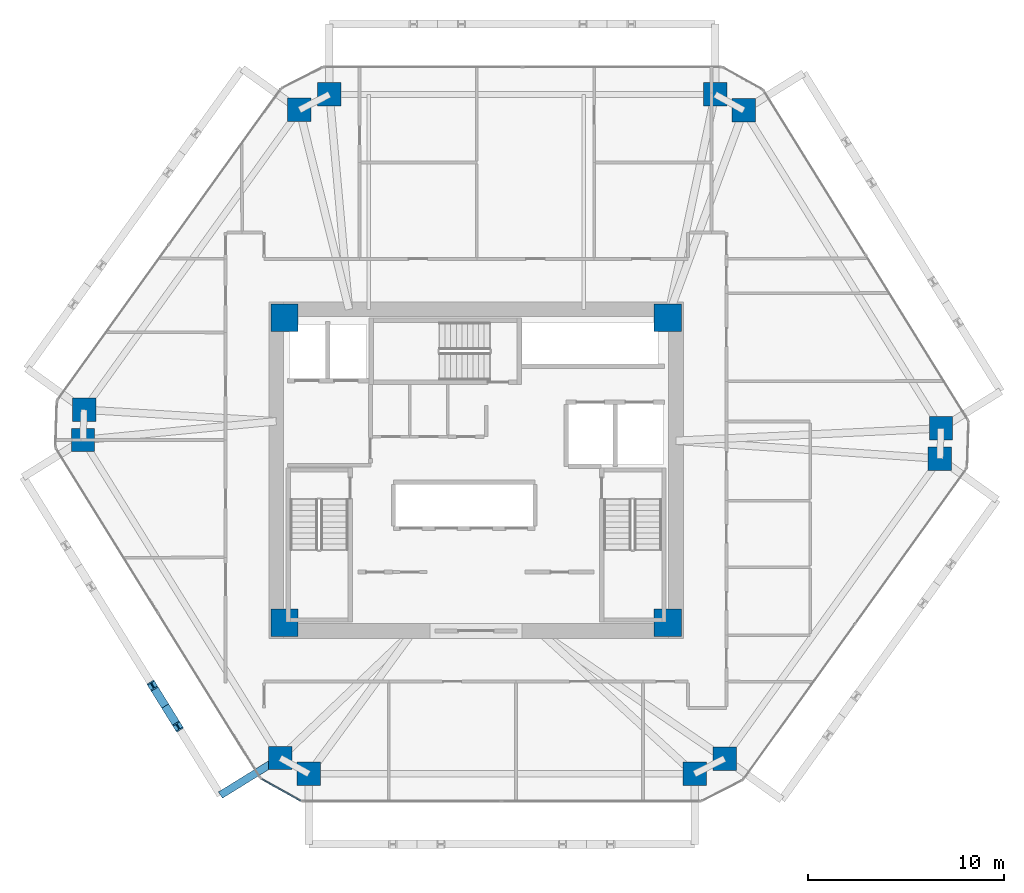
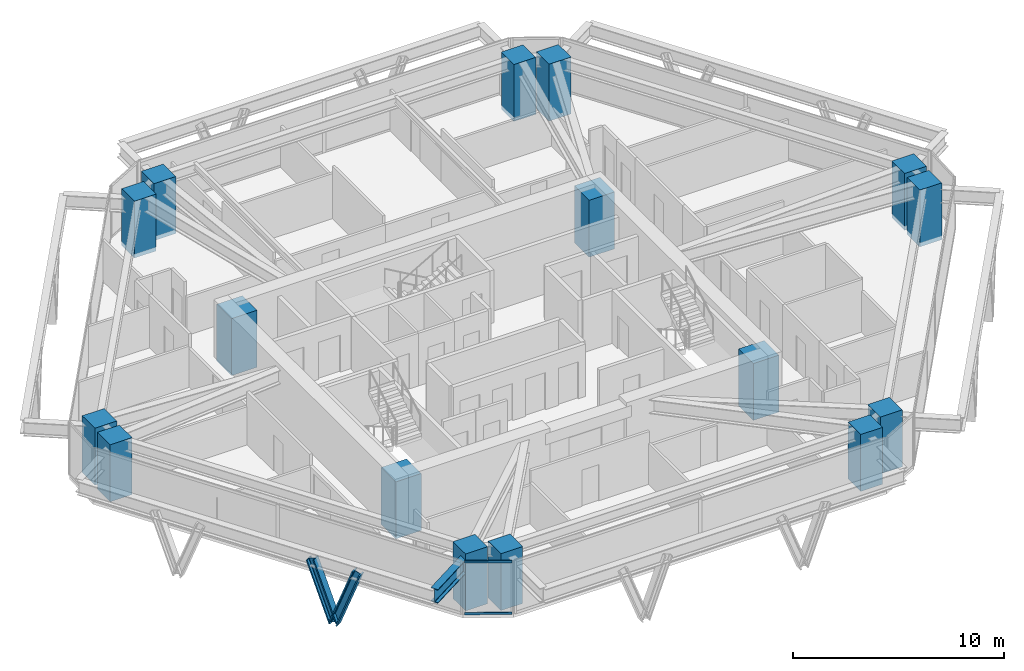
# One storey, part 1 of 14: 16 columns, 4 members, 1 beam, 1 element without a shape of its own.
"""IFC4 building model written with IfcOpenShell, lengths in metres."""

from ifc_helpers import new_model, si_unit, direction, frame, origin, origin_2d, place, context, subcontext, project, spatial, rectangle, i_section, extrude, source, transform, mapped, material, layer, layer_set, material_profile, profile_set, type_object, type_shapes, element, aggregate, save


model = new_model("IFC4")

# Units and contexts
model_context = context("Model", 3, precision=1e-05, world=origin(), true_north=direction((0.0, 1.0)))
body_context = subcontext(model_context, "Body", "Model", "MODEL_VIEW")
ifc_project = project(units=[si_unit("LENGTHUNIT", "METRE"), si_unit("AREAUNIT", "SQUARE_METRE"), si_unit("VOLUMEUNIT", "CUBIC_METRE"), si_unit("PLANEANGLEUNIT", "RADIAN"), si_unit("MASSUNIT", "GRAM", prefix="KILO")], contexts=[model_context])

# Site, building, storey
site_placement = place(None, origin())
site = spatial("IfcSite", under=ifc_project, at=site_placement, CompositionType="ELEMENT")
building_placement = place(site_placement, origin())
building = spatial("IfcBuilding", under=site, at=building_placement, Name="Durnholm Broadcast Tower", CompositionType="ELEMENT")
storey_placement = place(building_placement, frame((0.0, 0.0, 120.60009765625)))
storey = spatial("IfcBuildingStorey", under=building, at=storey_placement, Name="L32", CompositionType="ELEMENT", Elevation=120.60009765625)

# Columns
ifc_material_1 = material(Name="Concrete C70/85", Category="concrete")
ifc_material_profile_1 = material_profile(ifc_material_1, rectangle(XDim=1.39990234375, YDim=1.39990234375, at=origin_2d()), Name="RC1400X1400")
ifc_profile_set_1 = profile_set([ifc_material_profile_1], Name="Concrete C70/85")
column_type_1 = type_object("IfcColumnType", Name="COL-CC-1400", PredefinedType="COLUMN", material=ifc_profile_set_1)
shared_shape_1 = source(origin(), body_context, "Body", "SweptSolid", [
    extrude(rectangle(XDim=1.39990234375, YDim=1.39990234375, at=origin_2d()), origin(), (0.0, 0.0, 1.0), 3.2998046875),
])
type_shapes(column_type_1, [shared_shape_1])
for number, where, z_axis, x_axis, name in (
    (1, (-9.800048828125, -7.800048828125, -0.239990234375), (0.0, 0.0, 1.0), (1.0, 0.0, 0.0), "L32 core corner column 1"),
    (2, (9.800048828125, -7.800048828125, -0.239990234375), (0.0, 0.0, 1.0), (1.0, 0.0, 0.0), "L32 core corner column 2"),
    (3, (9.800048828125, 7.800048828125, -0.239990234375), (0.0, 0.0, 1.0), (1.0, 0.0, 0.0), "L32 core corner column 3"),
    (4, (-9.800048828125, 7.800048828125, -0.239990234375), (0.0, 0.0, 1.0), (1.0, 0.0, 0.0), "L32 core corner column 4"),
):
    element("IfcColumn", number, at=place(storey_placement, frame(where, z_axis=z_axis, x_axis=x_axis)), inside=storey, type_object=column_type_1, Name=name, PredefinedType="COLUMN", context=body_context, shape_type="MappedRepresentation", body=[
        mapped(shared_shape_1, transform((0.0, 0.0, 0.0), x_axis=(1.0, 0.0, 0.0), y_axis=(0.0, 1.0, 0.0), z_axis=(0.0, 0.0, 1.0), scale=1.0)),
    ])
ifc_material_profile_2 = material_profile(ifc_material_1, rectangle(XDim=1.199951171875, YDim=1.199951171875, at=origin_2d()), Name="RC1200X1200")
ifc_profile_set_2 = profile_set([ifc_material_profile_2], Name="Concrete C70/85")
column_type_2 = type_object("IfcColumnType", Name="COL-CC-1200", PredefinedType="COLUMN", material=ifc_profile_set_2)
shared_shape_2 = source(origin(), body_context, "Body", "SweptSolid", [
    extrude(rectangle(XDim=1.199951171875, YDim=1.199951171875, at=origin_2d()), origin(), (0.0, 0.0, 1.0), 3.2998046875),
])
type_shapes(column_type_2, [shared_shape_2])
for number, where, z_axis, x_axis, name in (
    (5, (-10.01416015625, -14.723388671875, -0.239990234375), (0.0, 0.0, 1.0), (1.0, 0.0, 0.0), "L32 perimeter hexagonal tube column 01"),
    (6, (-20.102783203125, 1.54150390625, -0.239990234375), (0.0, 0.0, 1.0), (1.0, 0.0, 0.0), "L32 perimeter hexagonal tube column 02"),
    (7, (-20.050048828125, 3.091064453125, -0.239990234375), (0.0, 0.0, 1.0), (1.0, 0.0, 0.0), "L32 perimeter hexagonal tube column 03"),
    (8, (-9.031982421875, 18.42822265625, -0.239990234375), (0.0, 0.0, 1.0), (1.0, 0.0, 0.0), "L32 perimeter hexagonal tube column 04"),
    (9, (-7.498046875, 19.215087890625, -0.239990234375), (0.0, 0.0, 1.0), (1.0, 0.0, 0.0), "L32 perimeter hexagonal tube column 05"),
    (10, (12.22998046875, 19.215087890625, -0.239990234375), (0.0, 0.0, 1.0), (1.0, 0.0, 0.0), "L32 perimeter hexagonal tube column 06"),
    (11, (13.692138671875, 18.4013671875, -0.239990234375), (0.0, 0.0, 1.0), (1.0, 0.0, 0.0), "L32 perimeter hexagonal tube column 07"),
    (12, (23.78076171875, 2.13671875, -0.239990234375), (0.0, 0.0, 1.0), (1.0, 0.0, 0.0), "L32 perimeter hexagonal tube column 08"),
    (13, (23.72802734375, 0.5869140625, -0.239990234375), (0.0, 0.0, 1.0), (1.0, 0.0, 0.0), "L32 perimeter hexagonal tube column 09"),
    (14, (12.7099609375, -14.750244140625, -0.239990234375), (0.0, 0.0, 1.0), (1.0, 0.0, 0.0), "L32 perimeter hexagonal tube column 10"),
    (15, (11.176025390625, -15.537109375, -0.239990234375), (0.0, 0.0, 1.0), (1.0, 0.0, 0.0), "L32 perimeter hexagonal tube column 11"),
    (16, (-8.552001953125, -15.537109375, -0.239990234375), (0.0, 0.0, 1.0), (1.0, 0.0, 0.0), "L32 perimeter hexagonal tube column 12"),
):
    element("IfcColumn", number, at=place(storey_placement, frame(where, z_axis=z_axis, x_axis=x_axis)), inside=storey, type_object=column_type_2, Name=name, PredefinedType="COLUMN", context=body_context, shape_type="MappedRepresentation", body=[
        mapped(shared_shape_2, transform((0.0, 0.0, 0.0), x_axis=(1.0, 0.0, 0.0), y_axis=(0.0, 1.0, 0.0), z_axis=(0.0, 0.0, 1.0), scale=1.0)),
    ])

# Beam
ifc_material_2 = material(Name="Steel ASTM A992 Grade 50", Category="steel")
ifc_material_profile_3 = material_profile(ifc_material_2, i_section(OverallWidth=0.385009765625, OverallDepth=0.802978515625, WebThickness=0.023681640625, FlangeThickness=0.0419921875, FilletRadius=0.032958984375, at=origin_2d()), Name="W30X261")
ifc_profile_set_3 = profile_set([ifc_material_profile_3], Name="Steel ASTM A992 Grade 50")
beam_type = type_object("IfcBeamType", Name="BM-EXO-TIE", PredefinedType="USERDEFINED", material=ifc_profile_set_3)
shared_shape_3 = source(origin(), body_context, "Body", "SweptSolid", [
    extrude(i_section(OverallWidth=0.385009765625, OverallDepth=0.802978515625, WebThickness=0.023681640625, FlangeThickness=0.0419921875, FilletRadius=0.032958984375, at=origin_2d()), origin(), (0.0, 0.0, 1.0), 3.455810546875),
])
type_shapes(beam_type, [shared_shape_3])
beam_placement = place(storey_placement, frame((-10.13671875, -14.79931640625, 2.30859375), z_axis=(-0.849807128357, -0.527093772107, 0.0), x_axis=(0.527093772107, -0.849807128357, 0.0)))
element("IfcBeam", 17, at=beam_placement, inside=storey, type_object=beam_type, Name="L32 exoskeleton stand-off tie bracket F6.2", ObjectType="GIRDER", PredefinedType="USERDEFINED", context=body_context, shape_type="MappedRepresentation", body=[
    mapped(shared_shape_3, transform((0.0, 0.0, 0.0), x_axis=(1.0, 0.0, 0.0), y_axis=(0.0, 1.0, 0.0), z_axis=(0.0, 0.0, 1.0), scale=1.0)),
])

# Members
ifc_material_3 = material(Name="Steel ASTM A913 Grade 65", Category="steel")
ifc_material_profile_4 = material_profile(ifc_material_3, i_section(OverallWidth=0.41845703125, OverallDepth=0.455078125, WebThickness=0.0419921875, FlangeThickness=0.067626953125, FilletRadius=0.030517578125, at=origin_2d()), Name="W14X370")
ifc_profile_set_4 = profile_set([ifc_material_profile_4], Name="Steel ASTM A913 Grade 65")
member_type_1 = type_object("IfcMemberType", Name="STL-DG-W14X370", PredefinedType="BRACE", material=ifc_profile_set_4)
shared_shape_4 = source(origin(), body_context, "Body", "SweptSolid", [
    extrude(i_section(OverallWidth=0.41845703125, OverallDepth=0.455078125, WebThickness=0.0419921875, FlangeThickness=0.067626953125, FilletRadius=0.030517578125, at=origin_2d()), origin(), (0.0, 0.0, 1.0), 3.523193359375),
])
type_shapes(member_type_1, [shared_shape_4])
for number, where, z_axis, x_axis, name in (
    (18, (-15.898193359375, -12.066650390625, -0.991455078125), (-0.184606642766, 0.297560406921, 0.936684681032), (-0.849750220063, -0.527185511469, 0.0), "L32 stand-off diagrid brace F6.D2.1"),
    (19, (-15.898193359375, -12.066650390625, -0.991455078125), (0.184602835855, -0.297623566065, 0.936665364961), (0.849805205368, 0.527096872433, 0.0), "L32 stand-off diagrid brace F6.D2.2"),
):
    element("IfcMember", number, at=place(storey_placement, frame(where, z_axis=z_axis, x_axis=x_axis)), inside=storey, type_object=member_type_1, Name=name, PredefinedType="BRACE", context=body_context, shape_type="MappedRepresentation", body=[
        mapped(shared_shape_4, transform((0.0, 0.0, 0.0), x_axis=(1.0, 0.0, 0.0), y_axis=(0.0, 1.0, 0.0), z_axis=(0.0, 0.0, 1.0), scale=1.0)),
    ])

# Curtain wall, members
ifc_material_4 = material(Name="Aluminium and Solar Control IGU", Category="aluminium")
ifc_layer = layer(ifc_material_4, 0.1650390625)
ifc_layer_set = layer_set([ifc_layer], Name="Aluminium and Solar Control IGU")
curtain_wall_type = type_object("IfcCurtainWallType", Name="CW-SYS-5", PredefinedType="NOTDEFINED", material=ifc_layer_set)
curtain_wall_placement = place(storey_placement, origin())
curtain_wall = element("IfcCurtainWall", 20, at=curtain_wall_placement, inside=storey, type_object=curtain_wall_type, Name="L32 curtain wall CW-CORNER CW-L32-CRN-11", PredefinedType="NOTDEFINED")
ifc_material_5 = material(Name="Aluminium 6063-T6", Category="aluminium")
ifc_material_profile_5 = material_profile(ifc_material_5, rectangle(XDim=0.06494140625, YDim=0.1298828125, at=origin_2d()), Name="CWT65X130")
ifc_profile_set_5 = profile_set([ifc_material_profile_5], Name="Aluminium 6063-T6")
member_type_2 = type_object("IfcMemberType", Name="CW-SYS-5-TRN", PredefinedType="USERDEFINED", material=ifc_profile_set_5)
shared_shape_5 = source(origin(), body_context, "Body", "SweptSolid", [
    extrude(rectangle(XDim=0.06494140625, YDim=0.1298828125, at=origin_2d()), origin(), (0.0, 0.0, 1.0), 2.27001953125),
])
type_shapes(member_type_2, [shared_shape_5])
member_1_placement = place(storey_placement, frame((-8.971923828125, -16.9052734375, 0.032470703125), z_axis=(-0.873832405737, 0.486227237703, 0.0), x_axis=(-0.486227237703, -0.873832405737, 0.0)))
member_1 = element("IfcMember", 21, at=member_1_placement, type_object=member_type_2, Name="CW-CORNER transom 1.1", ObjectType="TRANSOM", PredefinedType="USERDEFINED", context=body_context, shape_type="MappedRepresentation", body=[
    mapped(shared_shape_5, transform((0.0, 0.0, 0.0), x_axis=(1.0, 0.0, 0.0), y_axis=(0.0, 1.0, 0.0), z_axis=(0.0, 0.0, 1.0), scale=1.0)),
])
member_2_placement = place(storey_placement, frame((-8.971923828125, -16.9052734375, 3.02734375), z_axis=(-0.873832405737, 0.486227237703, 0.0), x_axis=(-0.486227237703, -0.873832405737, 0.0)))
member_2 = element("IfcMember", 22, at=member_2_placement, type_object=member_type_2, Name="CW-CORNER transom 1.2", ObjectType="TRANSOM", PredefinedType="USERDEFINED", context=body_context, shape_type="MappedRepresentation", body=[
    mapped(shared_shape_5, transform((0.0, 0.0, 0.0), x_axis=(1.0, 0.0, 0.0), y_axis=(0.0, 1.0, 0.0), z_axis=(0.0, 0.0, 1.0), scale=1.0)),
])
aggregate(curtain_wall, [member_1, member_2])

save(model, "model.ifc")
